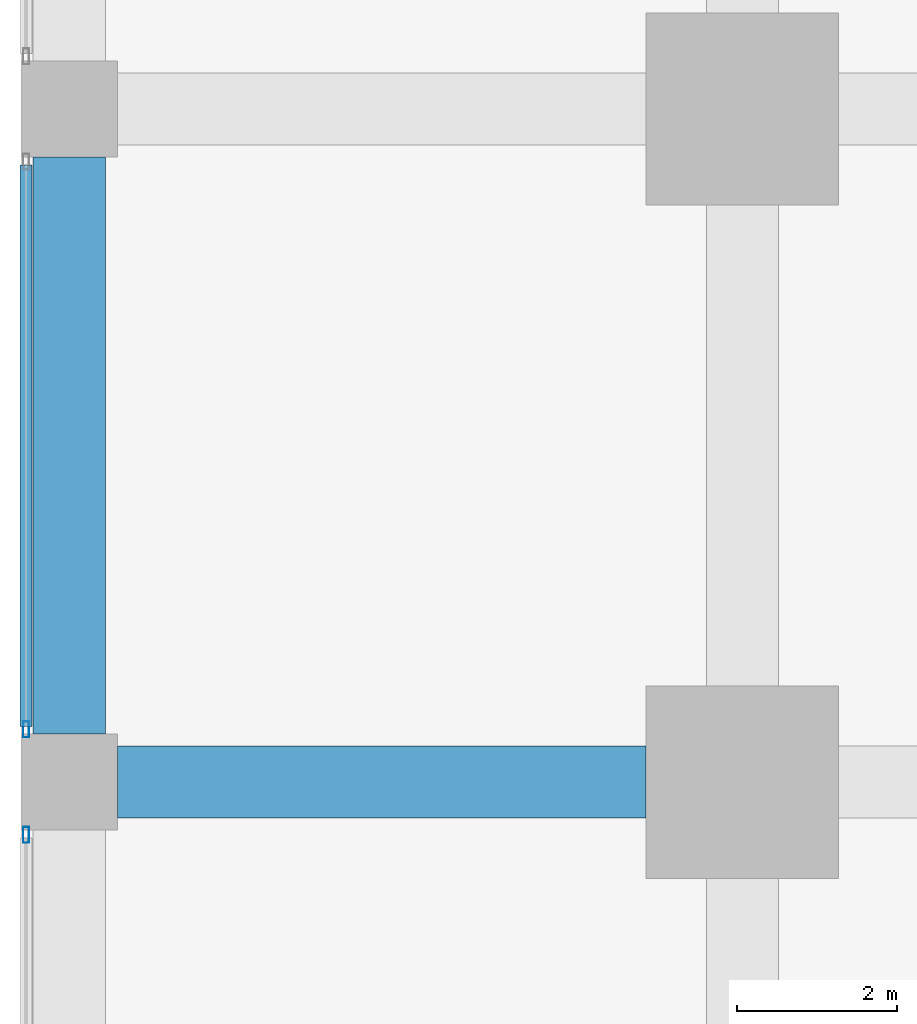
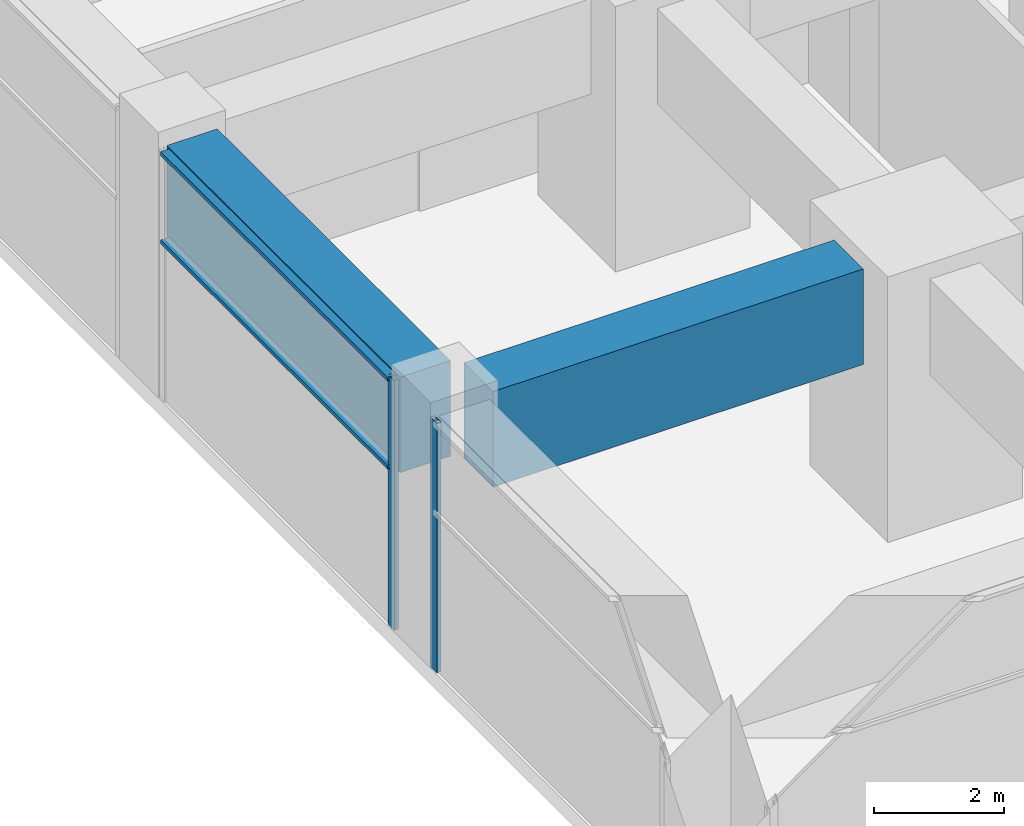
# One storey, part 5 of 48: 4 members, 2 beams, 2 elements without a shape of their own.
"""IFC4 building model written with IfcOpenShell, lengths in metres."""

from ifc_helpers import new_model, si_unit, direction, frame, origin, origin_2d, place, context, subcontext, project, spatial, rectangle, hollow_rectangle, extrude, material, material_profile, profile_set, type_object, element, aggregate, save


model = new_model("IFC4")

# Units and contexts
model_context = context("Model", 3, precision=1e-05, world=origin(), true_north=direction((0.0, 1.0)))
body_context = subcontext(model_context, "Body", "Model", "MODEL_VIEW")
ifc_project = project(units=[si_unit("LENGTHUNIT", "METRE"), si_unit("AREAUNIT", "SQUARE_METRE"), si_unit("VOLUMEUNIT", "CUBIC_METRE"), si_unit("PLANEANGLEUNIT", "RADIAN"), si_unit("MASSUNIT", "GRAM", prefix="KILO")], contexts=[model_context])

# Site, building, storey
site_placement = place(None, origin())
site = spatial("IfcSite", under=ifc_project, at=site_placement, CompositionType="ELEMENT")
building_placement = place(site_placement, origin())
building = spatial("IfcBuilding", under=site, at=building_placement, Name="Rekha Terrace Tower", CompositionType="ELEMENT")
storey_placement = place(building_placement, frame((0.0, 0.0, 15.39990234375)))
storey = spatial("IfcBuildingStorey", under=building, at=storey_placement, Name="L03", CompositionType="ELEMENT", Elevation=15.39990234375)

# Curtain wall, member
ifc_material_1 = material(Name="Aluminium framing", Category="aluminium")
curtain_wall_type = type_object("IfcCurtainWallType", Name="CW4 podium shopfront glazing", PredefinedType="USERDEFINED", material=ifc_material_1)
curtain_wall_1_placement = place(storey_placement, origin())
curtain_wall_1 = element("IfcCurtainWall", 1, at=curtain_wall_1_placement, inside=storey, type_object=curtain_wall_type, Name="CW4 shopfront curtain wall", ObjectType="SHOPFRONT CURTAIN WALL", PredefinedType="USERDEFINED")
ifc_material_2 = material(Name="Aluminium mullion section", Category="aluminium")
ifc_material_profile_1 = material_profile(ifc_material_2, hollow_rectangle(XDim=0.074951171875, YDim=0.199951171875, WallThickness=0.00390625, at=origin_2d()), Name="AL RHS 75x200")
ifc_profile_set_1 = profile_set([ifc_material_profile_1], Name="Aluminium mullion section")
member_type_1 = type_object("IfcMemberType", Name="CW4 mullion RHS 75 x 200", PredefinedType="MULLION", material=ifc_profile_set_1)
member_1_placement = place(storey_placement, frame((-0.5400390625, 9.0576171875, 0.0), z_axis=(0.0, 0.0, 1.0), x_axis=(1.0, 0.0, 0.0)))
member_1 = element("IfcMember", 2, at=member_1_placement, type_object=member_type_1, Name="CW4 mullion 2", PredefinedType="MULLION", context=body_context, shape_type="SweptSolid", body=[
    extrude(hollow_rectangle(XDim=0.074951171875, YDim=0.199951171875, WallThickness=0.00390625, at=origin_2d()), origin(), (0.0, 0.0, 1.0), 4.7001953125),
])

curtain_wall_2_placement = place(storey_placement, origin())
curtain_wall_2 = element("IfcCurtainWall", 3, at=curtain_wall_2_placement, inside=storey, type_object=curtain_wall_type, Name="CW4 shopfront curtain wall", ObjectType="SHOPFRONT CURTAIN WALL", PredefinedType="USERDEFINED")
member_2_placement = place(storey_placement, frame((-0.5400390625, 7.742431640625, 0.0), z_axis=(0.0, 0.0, 1.0), x_axis=(1.0, 0.0, 0.0)))
member_2 = element("IfcMember", 4, at=member_2_placement, type_object=member_type_1, Name="CW4 mullion 1", PredefinedType="MULLION", context=body_context, shape_type="SweptSolid", body=[
    extrude(hollow_rectangle(XDim=0.074951171875, YDim=0.199951171875, WallThickness=0.00390625, at=origin_2d()), origin(), (0.0, 0.0, 1.0), 4.7001953125),
])
aggregate(curtain_wall_2, [member_2])

# Member
ifc_material_3 = material(Name="Aluminium transom section", Category="aluminium")
ifc_material_profile_2 = material_profile(ifc_material_3, hollow_rectangle(XDim=0.14990234375, YDim=0.074951171875, WallThickness=0.0029296875, at=origin_2d()), Name="AL RHS 150x75")
ifc_profile_set_2 = profile_set([ifc_material_profile_2], Name="Aluminium transom section")
member_type_2 = type_object("IfcMemberType", Name="CW4 transom RHS 75 x 150", PredefinedType="USERDEFINED", material=ifc_profile_set_2)
member_3_placement = place(storey_placement, frame((-0.5400390625, 16.10498046875, 3.0), z_axis=(0.0, -1.0, 0.0), x_axis=(1.0, 0.0, 0.0)))
member_3 = element("IfcMember", 5, at=member_3_placement, type_object=member_type_2, Name="CW4 transom 1.2", ObjectType="TRANSOM", PredefinedType="USERDEFINED", context=body_context, shape_type="SweptSolid", body=[
    extrude(hollow_rectangle(XDim=0.14990234375, YDim=0.074951171875, WallThickness=0.0029296875, at=origin_2d()), origin(), (0.0, 0.0, 1.0), 7.010009765625),
])

member_4_placement = place(storey_placement, frame((-0.5400390625, 16.10498046875, 4.66259765625), z_axis=(0.0, -1.0, 0.0), x_axis=(1.0, 0.0, 0.0)))
member_4 = element("IfcMember", 6, at=member_4_placement, type_object=member_type_2, Name="CW4 transom 1.3", ObjectType="TRANSOM", PredefinedType="USERDEFINED", context=body_context, shape_type="SweptSolid", body=[
    extrude(hollow_rectangle(XDim=0.14990234375, YDim=0.074951171875, WallThickness=0.0029296875, at=origin_2d()), origin(), (0.0, 0.0, 1.0), 7.010009765625),
])

aggregate(curtain_wall_1, [member_1, member_3, member_4])

# Beams
ifc_material_4 = material(Name="Concrete M60", Category="concrete")
ifc_material_profile_3 = material_profile(ifc_material_4, rectangle(XDim=0.89990234375, YDim=1.800048828125, at=origin_2d()), Name="RC 900x1800")
ifc_profile_set_3 = profile_set([ifc_material_profile_3], Name="Concrete M60")
beam_type = type_object("IfcBeamType", Name="G1 900x1800 podium floor beam", PredefinedType="BEAM", material=ifc_profile_set_3)
beam_1_placement = place(storey_placement, frame((0.60009765625, 8.39990234375, 3.800048828125), z_axis=(1.0, 0.0, 0.0), x_axis=(0.0, 1.0, 0.0)))
element("IfcBeam", 7, at=beam_1_placement, inside=storey, type_object=beam_type, Name="Beam G1 1B-2B under L04", PredefinedType="BEAM", context=body_context, shape_type="SweptSolid", body=[
    extrude(rectangle(XDim=0.89990234375, YDim=1.800048828125, at=origin_2d()), origin(), (0.0, 0.0, 1.0), 6.599853515625),
])
beam_2_placement = place(storey_placement, frame((0.0, 9.0, 3.800048828125), z_axis=(0.0, 1.0, 0.0), x_axis=(-1.0, 0.0, 0.0)))
element("IfcBeam", 8, at=beam_2_placement, inside=storey, type_object=beam_type, Name="Beam G1 1B-1C under L04", PredefinedType="BEAM", context=body_context, shape_type="SweptSolid", body=[
    extrude(rectangle(XDim=0.89990234375, YDim=1.800048828125, at=origin_2d()), origin(), (0.0, 0.0, 1.0), 7.199951171875),
])

save(model, "model.ifc")
